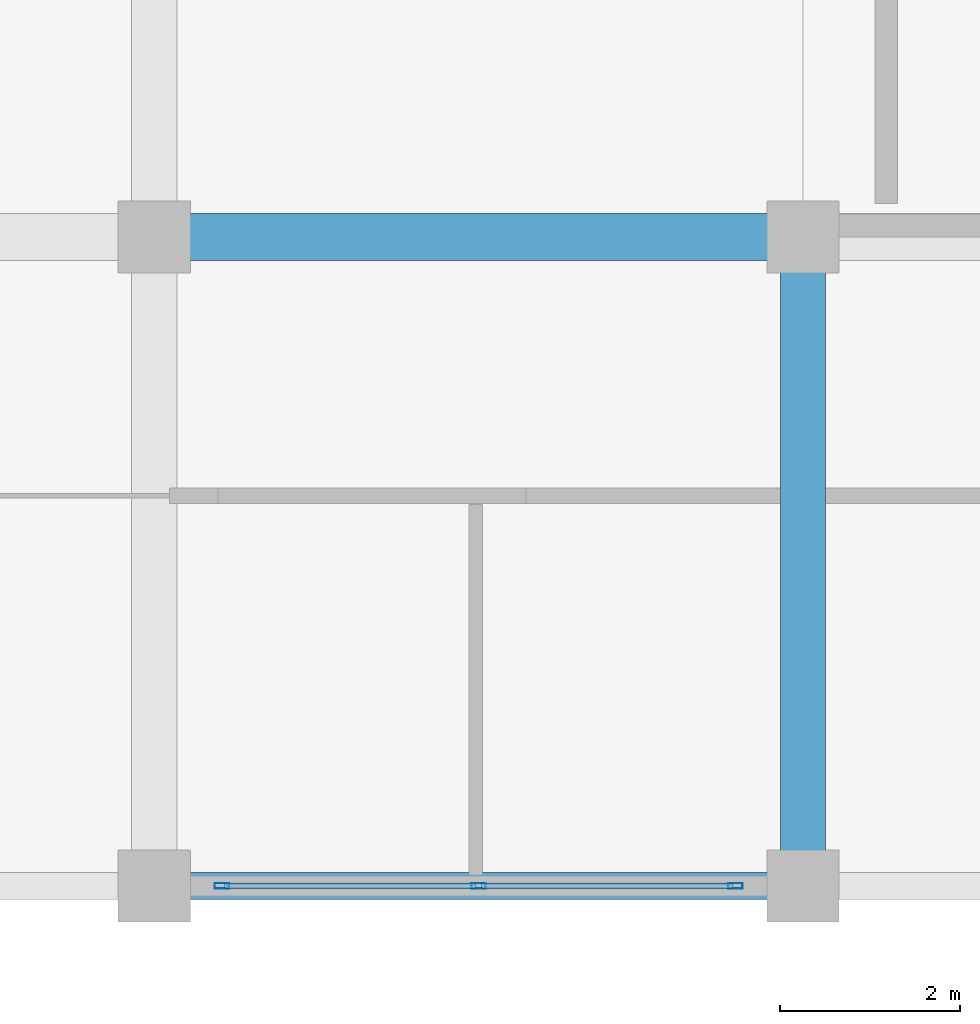
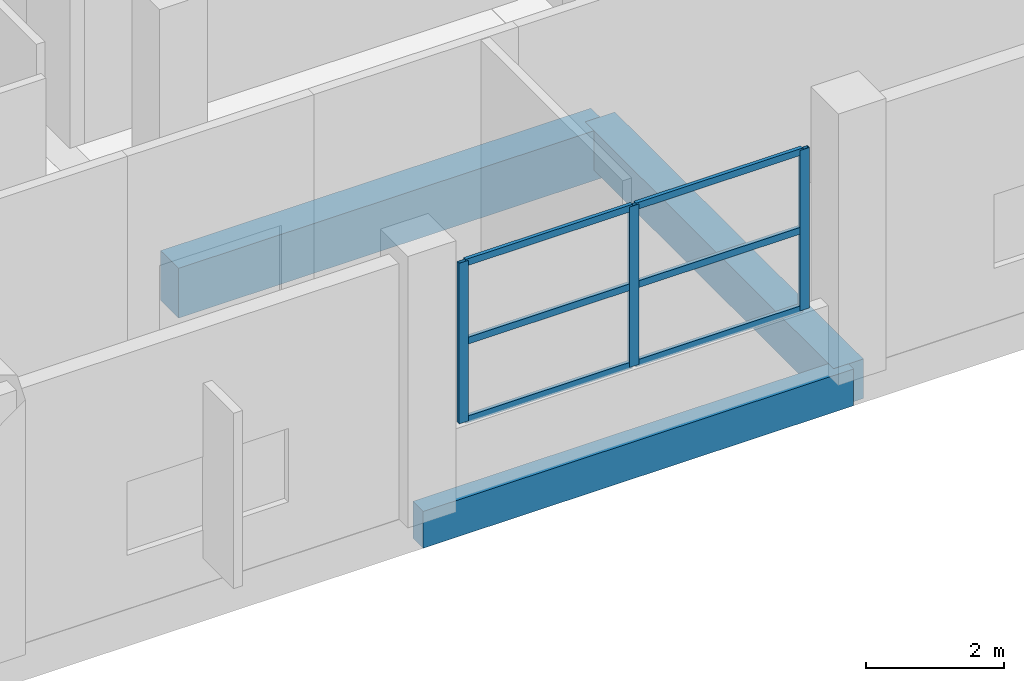
# One storey, part 27 of 140: 9 members, 3 beams, 1 element without a shape of its own.
"""IFC4 building model written with IfcOpenShell, lengths in metres."""

from ifc_helpers import new_model, si_unit, direction, frame, origin, origin_2d, place, context, subcontext, project, spatial, rectangle, hollow_rectangle, extrude, material, layer, layer_set, material_profile, profile_set, type_object, element, aggregate, save


model = new_model("IFC4")

# Units and contexts
model_context = context("Model", 3, precision=1e-05, world=origin(), true_north=direction((0.0, 1.0)))
body_context = subcontext(model_context, "Body", "Model", "MODEL_VIEW")
ifc_project = project(units=[si_unit("LENGTHUNIT", "METRE"), si_unit("AREAUNIT", "SQUARE_METRE"), si_unit("VOLUMEUNIT", "CUBIC_METRE"), si_unit("PLANEANGLEUNIT", "RADIAN"), si_unit("MASSUNIT", "GRAM", prefix="KILO")], contexts=[model_context])

# Site, building, storey
site_placement = place(None, origin())
site = spatial("IfcSite", under=ifc_project, at=site_placement, CompositionType="ELEMENT")
building_placement = place(site_placement, origin())
building = spatial("IfcBuilding", under=site, at=building_placement, Name="Seraya Terrace Polytechnic", CompositionType="ELEMENT")
storey_placement = place(building_placement, frame((0.0, 0.0, 9.60009765625)))
storey = spatial("IfcBuildingStorey", under=building, at=storey_placement, Name="L02", CompositionType="ELEMENT", Elevation=9.60009765625)

# Beams
ifc_material_1 = material(Name="Concrete C40/50", Category="concrete")
ifc_material_profile_1 = material_profile(ifc_material_1, rectangle(XDim=0.52001953125, YDim=0.8798828125, at=origin_2d()), Name="RC 520x880")
ifc_profile_set_1 = profile_set([ifc_material_profile_1], Name="Concrete C40/50")
beam_type_1 = type_object("IfcBeamType", Name="BM-04", PredefinedType="BEAM", material=ifc_profile_set_1)
beam_1_placement = place(storey_placement, frame((79.199951171875, 7.199951171875, -0.440185546875), z_axis=(1.0, 0.0, 0.0), x_axis=(0.0, 1.0, 0.0)))
element("IfcBeam", 1, at=beam_1_placement, inside=storey, type_object=beam_type_1, Name="Beam BM-04 L02 X (79.2..86.4, 7.2)", PredefinedType="BEAM", context=body_context, shape_type="SweptSolid", body=[
    extrude(rectangle(XDim=0.52001953125, YDim=0.8798828125, at=origin_2d()), origin(), (0.0, 0.0, 1.0), 7.199951171875),
])
ifc_material_profile_2 = material_profile(ifc_material_1, rectangle(XDim=0.5, YDim=0.699951171875, at=origin_2d()), Name="RC 500x700")
ifc_profile_set_2 = profile_set([ifc_material_profile_2], Name="Concrete C40/50")
beam_type_2 = type_object("IfcBeamType", Name="BM-07", PredefinedType="BEAM", material=ifc_profile_set_2)
beam_2_placement = place(storey_placement, frame((86.39990234375, 0.0, -0.35009765625), z_axis=(0.0, 1.0, 0.0), x_axis=(-1.0, 0.0, 0.0)))
element("IfcBeam", 2, at=beam_2_placement, inside=storey, type_object=beam_type_2, Name="Beam BM-07 L02 Y (86.4, 0.0..7.2)", PredefinedType="BEAM", context=body_context, shape_type="SweptSolid", body=[
    extrude(rectangle(XDim=0.5, YDim=0.699951171875, at=origin_2d()), origin(), (0.0, 0.0, 1.0), 7.199951171875),
])

# Curtain wall, members
ifc_material_2 = material(Name="Anodised aluminium EN AW-6063 T6", Category="aluminium")
ifc_layer = layer(ifc_material_2, 0.179931640625, Name="CW-02")
ifc_layer_set = layer_set([ifc_layer], Name="Anodised aluminium EN AW-6063 T6")
curtain_wall_type = type_object("IfcCurtainWallType", Name="CW-02", PredefinedType="NOTDEFINED", material=ifc_layer_set)
curtain_wall_placement = place(storey_placement, origin())
curtain_wall = element("IfcCurtainWall", 3, at=curtain_wall_placement, inside=storey, type_object=curtain_wall_type, Name="Unitised curtain wall CW-02 (CW-L02-074)", PredefinedType="NOTDEFINED")
ifc_material_profile_3 = material_profile(ifc_material_2, hollow_rectangle(XDim=0.06005859375, YDim=0.159912109375, WallThickness=0.00341796875, at=origin_2d()), Name="RHS 160x60x3.5")
ifc_profile_set_3 = profile_set([ifc_material_profile_3], Name="Anodised aluminium EN AW-6063 T6")
member_type_1 = type_object("IfcMemberType", Name="CWM-02", PredefinedType="MULLION", material=ifc_profile_set_3)
member_1_placement = place(storey_placement, frame((85.64990234375, 0.0, 1.239990234375), z_axis=(0.0, 0.0, 1.0), x_axis=(0.0, -1.0, 0.0)))
member_1 = element("IfcMember", 4, at=member_1_placement, type_object=member_type_1, Name="CW-02 mullion 1", PredefinedType="MULLION", context=body_context, shape_type="SweptSolid", body=[
    extrude(hollow_rectangle(XDim=0.06005859375, YDim=0.159912109375, WallThickness=0.00341796875, at=origin_2d()), origin(), (0.0, 0.0, 1.0), 2.83984375),
])
member_2_placement = place(storey_placement, frame((82.800048828125, 0.0, 1.239990234375), z_axis=(0.0, 0.0, 1.0), x_axis=(0.0, -1.0, 0.0)))
member_2 = element("IfcMember", 5, at=member_2_placement, type_object=member_type_1, Name="CW-02 mullion 2", PredefinedType="MULLION", context=body_context, shape_type="SweptSolid", body=[
    extrude(hollow_rectangle(XDim=0.06005859375, YDim=0.159912109375, WallThickness=0.00341796875, at=origin_2d()), origin(), (0.0, 0.0, 1.0), 2.83984375),
])
member_3_placement = place(storey_placement, frame((79.949951171875, 0.0, 1.239990234375), z_axis=(0.0, 0.0, 1.0), x_axis=(0.0, -1.0, 0.0)))
member_3 = element("IfcMember", 6, at=member_3_placement, type_object=member_type_1, Name="CW-02 mullion 3", PredefinedType="MULLION", context=body_context, shape_type="SweptSolid", body=[
    extrude(hollow_rectangle(XDim=0.06005859375, YDim=0.159912109375, WallThickness=0.00341796875, at=origin_2d()), origin(), (0.0, 0.0, 1.0), 2.83984375),
])
ifc_material_profile_4 = material_profile(ifc_material_2, hollow_rectangle(XDim=0.06005859375, YDim=0.1201171875, WallThickness=0.003173828125, at=origin_2d()), Name="RHS 120x60x3.2")
ifc_profile_set_4 = profile_set([ifc_material_profile_4], Name="Anodised aluminium EN AW-6063 T6")
member_type_2 = type_object("IfcMemberType", Name="CWT-02", PredefinedType="USERDEFINED", material=ifc_profile_set_4)
member_4_placement = place(storey_placement, frame((85.6201171875, 0.0, 1.27001953125), z_axis=(-1.0, 0.0, 0.0), x_axis=(0.0, -1.0, 0.0)))
member_4 = element("IfcMember", 7, at=member_4_placement, type_object=member_type_2, Name="CW-02 transom 1.1", ObjectType="TRANSOM", PredefinedType="USERDEFINED", context=body_context, shape_type="SweptSolid", body=[
    extrude(hollow_rectangle(XDim=0.06005859375, YDim=0.1201171875, WallThickness=0.003173828125, at=origin_2d()), origin(), (0.0, 0.0, 1.0), 2.7900390625),
])
member_5_placement = place(storey_placement, frame((85.6201171875, 0.0, 2.659912109375), z_axis=(-1.0, 0.0, 0.0), x_axis=(0.0, -1.0, 0.0)))
member_5 = element("IfcMember", 8, at=member_5_placement, type_object=member_type_2, Name="CW-02 transom 1.2", ObjectType="TRANSOM", PredefinedType="USERDEFINED", context=body_context, shape_type="SweptSolid", body=[
    extrude(hollow_rectangle(XDim=0.06005859375, YDim=0.1201171875, WallThickness=0.003173828125, at=origin_2d()), origin(), (0.0, 0.0, 1.0), 2.7900390625),
])
member_6_placement = place(storey_placement, frame((85.6201171875, 0.0, 4.0498046875), z_axis=(-1.0, 0.0, 0.0), x_axis=(0.0, -1.0, 0.0)))
member_6 = element("IfcMember", 9, at=member_6_placement, type_object=member_type_2, Name="CW-02 transom 1.3", ObjectType="TRANSOM", PredefinedType="USERDEFINED", context=body_context, shape_type="SweptSolid", body=[
    extrude(hollow_rectangle(XDim=0.06005859375, YDim=0.1201171875, WallThickness=0.003173828125, at=origin_2d()), origin(), (0.0, 0.0, 1.0), 2.7900390625),
])
member_7_placement = place(storey_placement, frame((82.77001953125, 0.0, 1.27001953125), z_axis=(-1.0, 0.0, 0.0), x_axis=(0.0, -1.0, 0.0)))
member_7 = element("IfcMember", 10, at=member_7_placement, type_object=member_type_2, Name="CW-02 transom 2.1", ObjectType="TRANSOM", PredefinedType="USERDEFINED", context=body_context, shape_type="SweptSolid", body=[
    extrude(hollow_rectangle(XDim=0.06005859375, YDim=0.1201171875, WallThickness=0.003173828125, at=origin_2d()), origin(), (0.0, 0.0, 1.0), 2.7900390625),
])
member_8_placement = place(storey_placement, frame((82.77001953125, 0.0, 2.659912109375), z_axis=(-1.0, 0.0, 0.0), x_axis=(0.0, -1.0, 0.0)))
member_8 = element("IfcMember", 11, at=member_8_placement, type_object=member_type_2, Name="CW-02 transom 2.2", ObjectType="TRANSOM", PredefinedType="USERDEFINED", context=body_context, shape_type="SweptSolid", body=[
    extrude(hollow_rectangle(XDim=0.06005859375, YDim=0.1201171875, WallThickness=0.003173828125, at=origin_2d()), origin(), (0.0, 0.0, 1.0), 2.7900390625),
])
member_9_placement = place(storey_placement, frame((82.77001953125, 0.0, 4.0498046875), z_axis=(-1.0, 0.0, 0.0), x_axis=(0.0, -1.0, 0.0)))
member_9 = element("IfcMember", 12, at=member_9_placement, type_object=member_type_2, Name="CW-02 transom 2.3", ObjectType="TRANSOM", PredefinedType="USERDEFINED", context=body_context, shape_type="SweptSolid", body=[
    extrude(hollow_rectangle(XDim=0.06005859375, YDim=0.1201171875, WallThickness=0.003173828125, at=origin_2d()), origin(), (0.0, 0.0, 1.0), 2.7900390625),
])
aggregate(curtain_wall, [member_1, member_2, member_3, member_4, member_5, member_6, member_7, member_8, member_9])

# Beam
ifc_material_profile_5 = material_profile(ifc_material_1, rectangle(XDim=0.300048828125, YDim=0.64990234375, at=origin_2d()), Name="RC 300x650")
ifc_profile_set_5 = profile_set([ifc_material_profile_5], Name="Concrete C40/50")
beam_type_3 = type_object("IfcBeamType", Name="SP-01", PredefinedType="SPANDREL", material=ifc_profile_set_5)
beam_3_placement = place(storey_placement, frame((79.199951171875, 0.0, -0.3251953125), z_axis=(1.0, 0.0, 0.0), x_axis=(0.0, 1.0, 0.0)))
element("IfcBeam", 13, at=beam_3_placement, inside=storey, type_object=beam_type_3, Name="Beam SP-01 L02 X (79.2..86.4, 0.0)", PredefinedType="SPANDREL", context=body_context, shape_type="SweptSolid", body=[
    extrude(rectangle(XDim=0.300048828125, YDim=0.64990234375, at=origin_2d()), origin(), (0.0, 0.0, 1.0), 7.199951171875),
])

save(model, "model.ifc")
